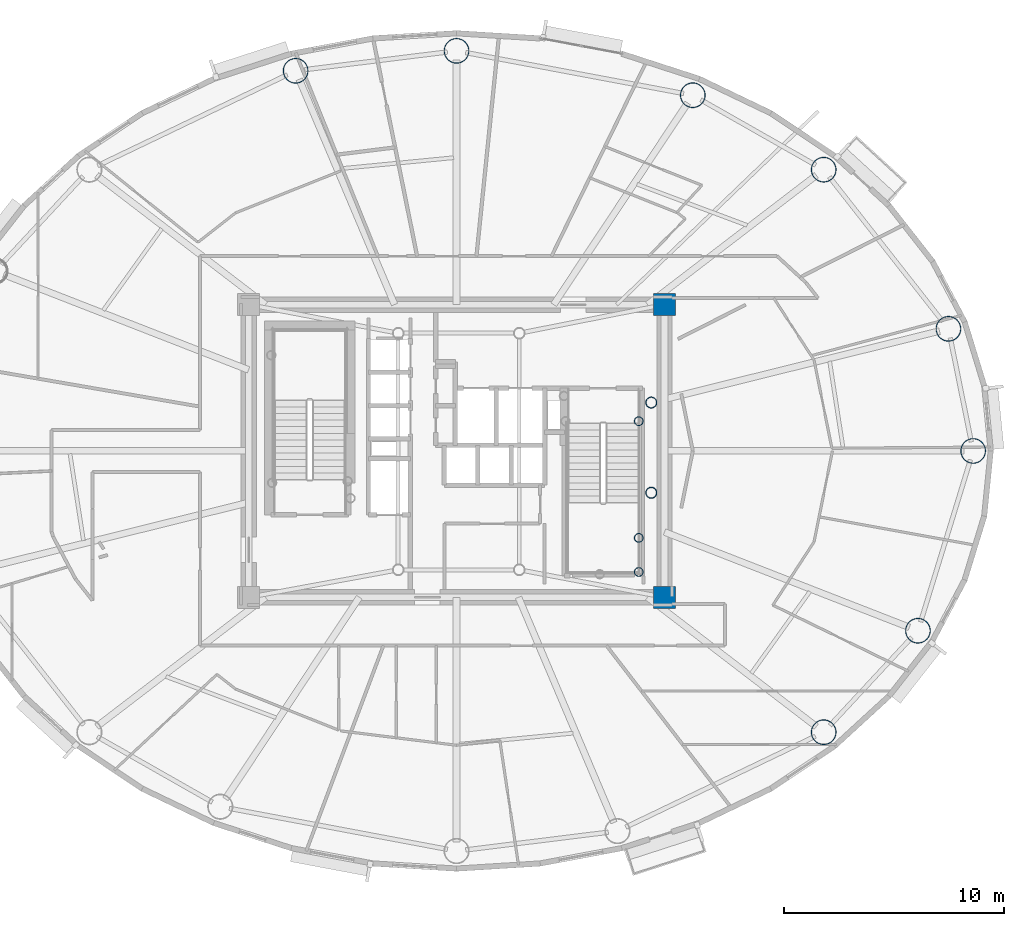
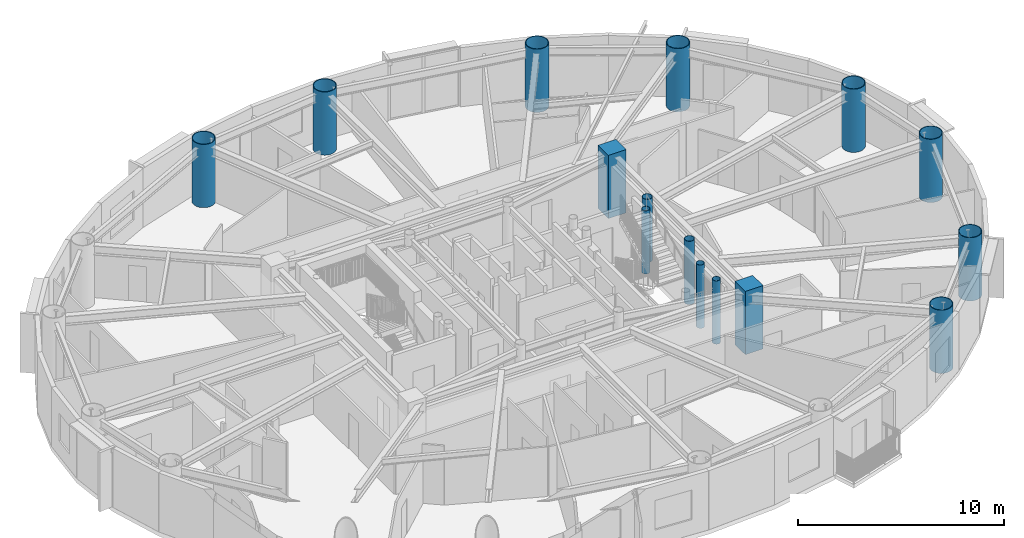
# One storey, part 2 of 18: 15 columns.
"""IFC4 building model written with IfcOpenShell, lengths in metres."""

from ifc_helpers import new_model, si_unit, direction, frame, origin, origin_2d, place, context, subcontext, project, spatial, rectangle, hollow_circle, extrude, material, material_profile, profile_set, type_object, element, save


model = new_model("IFC4")

# Units and contexts
model_context = context("Model", 3, precision=1e-05, world=origin(), true_north=direction((0.0, 1.0)))
body_context = subcontext(model_context, "Body", "Model", "MODEL_VIEW")
ifc_project = project(units=[si_unit("LENGTHUNIT", "METRE"), si_unit("AREAUNIT", "SQUARE_METRE"), si_unit("VOLUMEUNIT", "CUBIC_METRE"), si_unit("PLANEANGLEUNIT", "RADIAN"), si_unit("MASSUNIT", "GRAM", prefix="KILO")], contexts=[model_context])

# Site, building, storey
site_placement = place(None, origin())
site = spatial("IfcSite", under=ifc_project, at=site_placement, CompositionType="ELEMENT")
building_placement = place(site_placement, origin())
building = spatial("IfcBuilding", under=site, at=building_placement, Name="Linh Dai School and Residence Tower", CompositionType="ELEMENT")
storey_placement = place(building_placement, frame((0.0, 0.0, 225.300048828125)))
storey = spatial("IfcBuildingStorey", under=building, at=storey_placement, Name="L55", CompositionType="ELEMENT", Elevation=225.300048828125)

# Columns
ifc_material_1 = material(Name="Concrete B45 (C35/45)", Category="concrete")
ifc_material_profile_1 = material_profile(ifc_material_1, rectangle(XDim=1.0, YDim=1.0, at=origin_2d()), Name="RC 1000x1000")
ifc_profile_set_1 = profile_set([ifc_material_profile_1], Name="Concrete B45 (C35/45)")
column_type_1 = type_object("IfcColumnType", Name="COL-CC3", PredefinedType="COLUMN", material=ifc_profile_set_1)
for number, where, z_axis, x_axis, name in (
    (1, (45.449951171875, 20.35009765625, 0.0), (0.0, 0.0, 1.0), (1.0, 0.0, 0.0), "L55 Core Corner Pier CC2"),
    (2, (45.449951171875, 33.64990234375, 0.0), (0.0, 0.0, 1.0), (1.0, 0.0, 0.0), "L55 Core Corner Pier CC3"),
):
    element("IfcColumn", number, at=place(storey_placement, frame(where, z_axis=z_axis, x_axis=x_axis)), inside=storey, type_object=column_type_1, Name=name, PredefinedType="COLUMN", context=body_context, shape_type="SweptSolid", body=[
        extrude(rectangle(XDim=1.0, YDim=1.0, at=origin_2d()), origin(), (0.0, 0.0, 1.0), 3.75),
    ])
ifc_material_2 = material(Name="Structural Steel S355JR", Category="steel")
ifc_material_profile_2 = material_profile(ifc_material_2, hollow_circle(Radius=0.203125, WallThickness=0.01611328125, at=origin_2d()), Name="CHS 406.4x16")
ifc_profile_set_2 = profile_set([ifc_material_profile_2], Name="Structural Steel S355JR")
column_type_2 = type_object("IfcColumnType", Name="COL-EC", PredefinedType="COLUMN", material=ifc_profile_set_2)
for number, where, z_axis, x_axis, name in (
    (3, (44.280029296875, 21.5, 0.0), (0.0, 0.0, 1.0), (1.0, 0.0, 0.0), "L55 Stair Shaft Landing Support Pier ST2SE"),
    (4, (44.280029296875, 23.050048828125, 0.0), (0.0, 0.0, 1.0), (1.0, 0.0, 0.0), "L55 Stair Shaft Landing Support Pier ST2NE"),
    (5, (44.280029296875, 28.35009765625, 0.0), (0.0, 0.0, 1.0), (1.0, 0.0, 0.0), "L55 Stair Shaft Landing Support Pier ST2N2"),
):
    element("IfcColumn", number, at=place(storey_placement, frame(where, z_axis=z_axis, x_axis=x_axis)), inside=storey, type_object=column_type_2, Name=name, PredefinedType="COLUMN", context=body_context, shape_type="SweptSolid", body=[
        extrude(hollow_circle(Radius=0.203125, WallThickness=0.01611328125, at=origin_2d()), origin(), (0.0, 0.0, 1.0), 3.75),
    ])
ifc_material_profile_3 = material_profile(ifc_material_2, hollow_circle(Radius=0.574951171875, WallThickness=0.035888671875, at=origin_2d()), Name="CHS 1150x36")
ifc_profile_set_3 = profile_set([ifc_material_profile_3], Name="Structural Steel S355JR")
column_type_3 = type_object("IfcColumnType", Name="COL-MC5", PredefinedType="COLUMN", material=ifc_profile_set_3)
for number, where, z_axis, x_axis, name in (
    (6, (59.47509765625, 27.0, 0.0), (0.0, 0.0, 1.0), (1.0, 0.0, 0.0), "L55 Perimeter CFT Mega-Column MC01"),
    (7, (58.351318359375, 32.54931640625, 0.0), (0.0, 0.0, 1.0), (1.0, 0.0, 0.0), "L55 Perimeter CFT Mega-Column MC02"),
    (8, (52.68310546875, 39.781005859375, 0.0), (0.0, 0.0, 1.0), (1.0, 0.0, 0.0), "L55 Perimeter CFT Mega-Column MC03"),
    (9, (46.734619140625, 43.16357421875, 0.0), (0.0, 0.0, 1.0), (1.0, 0.0, 0.0), "L55 Perimeter CFT Mega-Column MC04"),
    (10, (36.0, 45.179931640625, 0.0), (0.0, 0.0, 1.0), (1.0, 0.0, 0.0), "L55 Perimeter CFT Mega-Column MC05"),
    (11, (28.68798828125, 44.2734375, 0.0), (0.0, 0.0, 1.0), (1.0, 0.0, 0.0), "L55 Perimeter CFT Mega-Column MC06"),
    (12, (52.68310546875, 14.218994140625, 0.0), (0.0, 0.0, 1.0), (1.0, 0.0, 0.0), "L55 Perimeter CFT Mega-Column MC15"),
    (13, (56.96533203125, 18.8310546875, 0.0), (0.0, 0.0, 1.0), (1.0, 0.0, 0.0), "L55 Perimeter CFT Mega-Column MC16"),
):
    element("IfcColumn", number, at=place(storey_placement, frame(where, z_axis=z_axis, x_axis=x_axis)), inside=storey, type_object=column_type_3, Name=name, PredefinedType="COLUMN", context=body_context, shape_type="SweptSolid", body=[
        extrude(hollow_circle(Radius=0.574951171875, WallThickness=0.035888671875, at=origin_2d()), origin(), (0.0, 0.0, 1.0), 3.75),
    ])
ifc_material_profile_4 = material_profile(ifc_material_2, hollow_circle(Radius=0.25390625, WallThickness=0.02001953125, at=origin_2d()), Name="CHS 508x20")
ifc_profile_set_4 = profile_set([ifc_material_profile_4], Name="Structural Steel S355JR")
column_type_4 = type_object("IfcColumnType", Name="COL-MCP", PredefinedType="COLUMN", material=ifc_profile_set_4)
for number, where, z_axis, x_axis, name in (
    (14, (44.85009765625, 25.10009765625, 0.0), (0.0, 0.0, 1.0), (1.0, 0.0, 0.0), "L55 Sky-Lounge Core Anchor Pier S"),
    (15, (44.85009765625, 29.199951171875, 0.0), (0.0, 0.0, 1.0), (1.0, 0.0, 0.0), "L55 Sky-Lounge Core Anchor Pier N"),
):
    element("IfcColumn", number, at=place(storey_placement, frame(where, z_axis=z_axis, x_axis=x_axis)), inside=storey, type_object=column_type_4, Name=name, PredefinedType="COLUMN", context=body_context, shape_type="SweptSolid", body=[
        extrude(hollow_circle(Radius=0.25390625, WallThickness=0.02001953125, at=origin_2d()), origin(), (0.0, 0.0, 1.0), 3.75),
    ])

save(model, "model.ifc")
